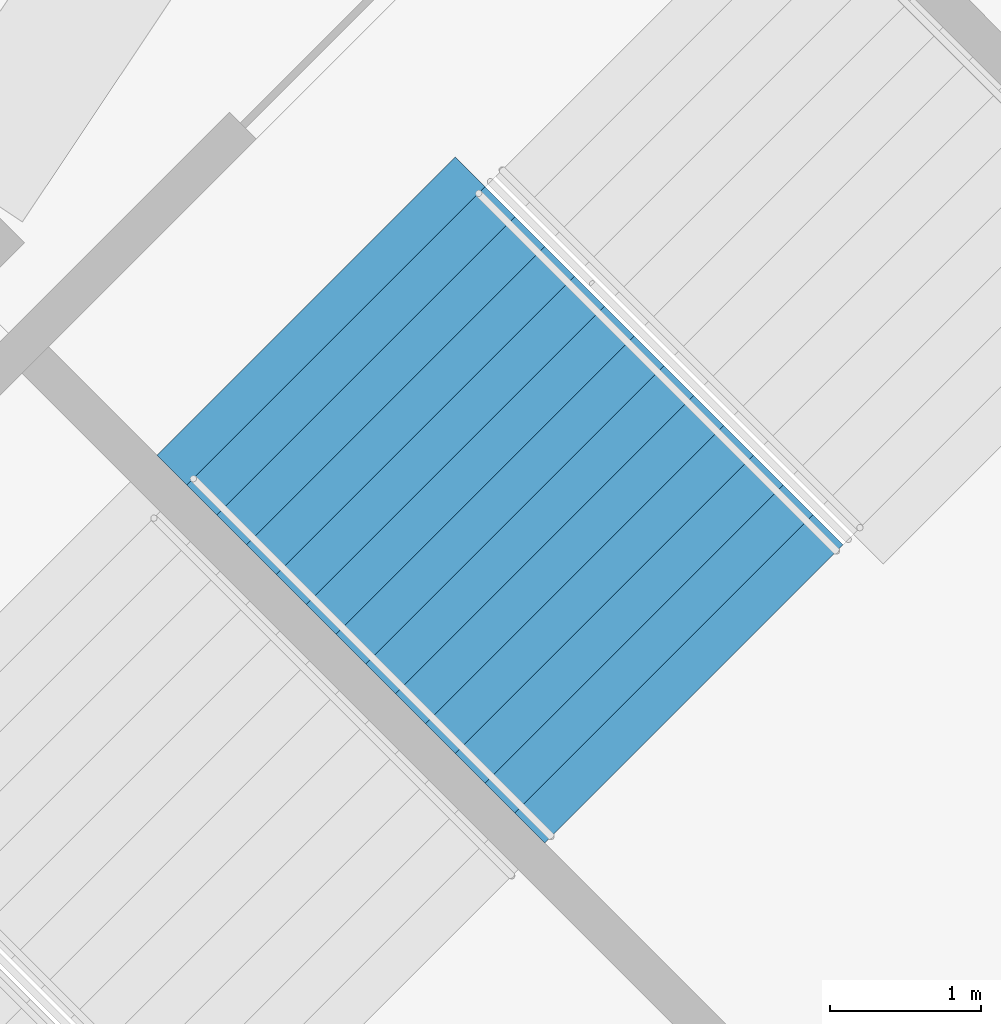
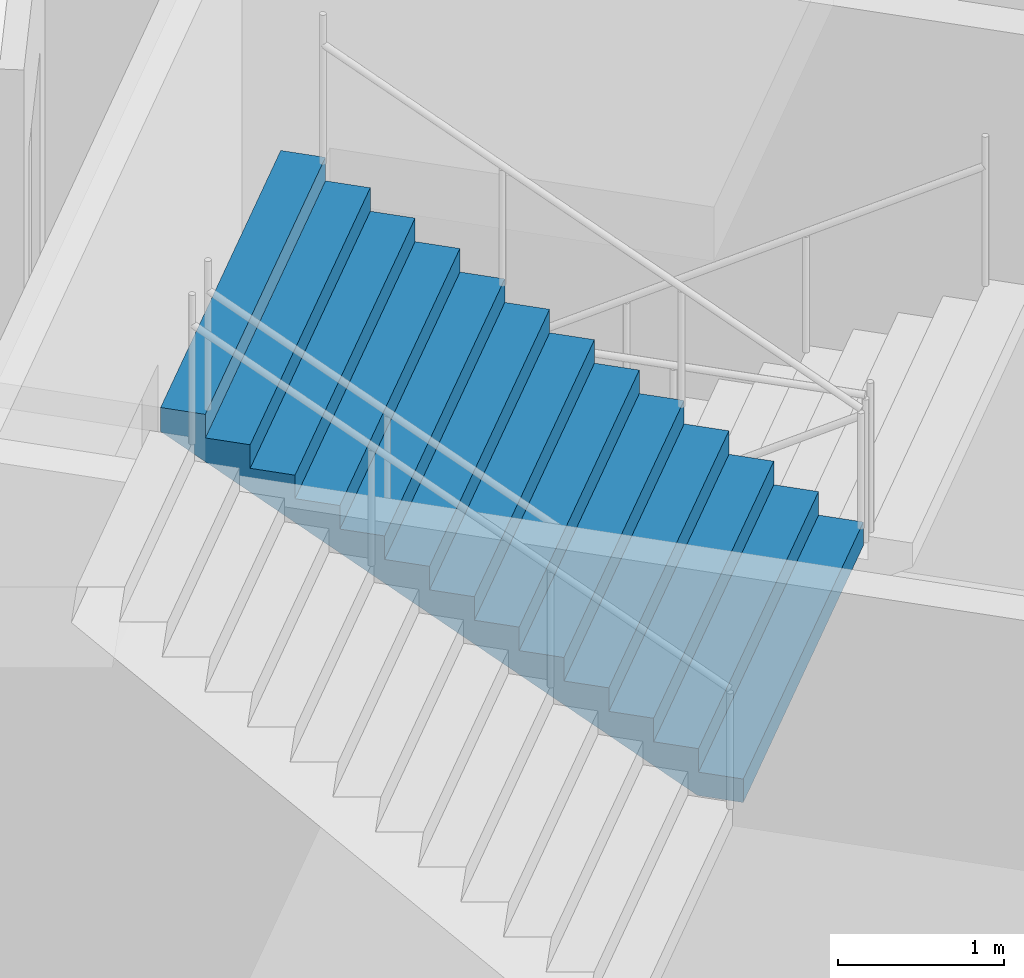
# One storey, part 139 of 199: 1 stair flight, 1 element without a shape of its own.
"""IFC4 building model written with IfcOpenShell, lengths in metres."""

from ifc_helpers import new_model, si_unit, direction, frame, origin, place, context, subcontext, project, spatial, faceted_brep, material, type_object, element, aggregate, save


model = new_model("IFC4")

# Units and contexts
model_context = context("Model", 3, precision=1e-05, world=origin(), true_north=direction((0.0, 1.0)))
body_context = subcontext(model_context, "Body", "Model", "MODEL_VIEW")
ifc_project = project(units=[si_unit("LENGTHUNIT", "METRE"), si_unit("AREAUNIT", "SQUARE_METRE"), si_unit("VOLUMEUNIT", "CUBIC_METRE"), si_unit("PLANEANGLEUNIT", "RADIAN"), si_unit("MASSUNIT", "GRAM", prefix="KILO")], contexts=[model_context])

# Site, building, storey
site_placement = place(None, origin())
site = spatial("IfcSite", under=ifc_project, at=site_placement, CompositionType="ELEMENT")
building_placement = place(site_placement, origin())
building = spatial("IfcBuilding", under=site, at=building_placement, Name="Ogive Plaza Stadium", CompositionType="ELEMENT")
storey_placement = place(building_placement, frame((0.0, 0.0, 4.5)))
storey = spatial("IfcBuildingStorey", under=building, at=storey_placement, Name="L01", CompositionType="ELEMENT", Elevation=4.5)

# Stair, stair flight
ifc_material_1 = material(Name="Concrete C40/50", Category="concrete")
stair_type = type_object("IfcStairType", Name="Exit stair", PredefinedType="STRAIGHT_RUN_STAIR", material=ifc_material_1)
stair_placement = place(storey_placement, origin())
stair = element("IfcStair", 1, at=stair_placement, inside=storey, type_object=stair_type, Name="Exit stair ST10B L01 to L02", PredefinedType="STRAIGHT_RUN_STAIR")
ifc_material_2 = material(Name="Concrete C40/50", Category="concrete")
stair_flight_type = type_object("IfcStairFlightType", Name="Exit stair flight", PredefinedType="STRAIGHT", material=ifc_material_2)
stair_flight_placement = place(storey_placement, frame((67.400146484375, -83.743408203125, 2.25), z_axis=(0.0, 0.0, 1.0), x_axis=(-0.707106781187, 0.707106781187, 0.0)))
stair_flight = element("IfcStairFlight", 2, at=stair_flight_placement, type_object=stair_flight_type, Name="ST10B flight 2", NumberOfRisers=13, NumberOfTreads=12, PredefinedType="STRAIGHT", RiserHeight=0.173076923, TreadLength=0.28, context=body_context, shape_type="Brep", body=[
    faceted_brep([(0.28515625, -1.39990234375, 0.0), (3.639892578125, -1.39990234375, 2.07373046875), (3.639892578125, -1.39990234375, 2.25), (3.360107421875, -1.39990234375, 2.25), (3.360107421875, -1.39990234375, 2.076904296875), (3.080078125, -1.39990234375, 2.076904296875), (3.080078125, -1.39990234375, 1.90380859375), (2.800048828125, -1.39990234375, 1.90380859375), (2.800048828125, -1.39990234375, 1.730712890625), (2.52001953125, -1.39990234375, 1.730712890625), (2.52001953125, -1.39990234375, 1.5576171875), (2.239990234375, -1.39990234375, 1.5576171875), (2.239990234375, -1.39990234375, 1.384521484375), (1.9599609375, -1.39990234375, 1.384521484375), (1.9599609375, -1.39990234375, 1.21142578125), (1.679931640625, -1.39990234375, 1.21142578125), (1.679931640625, -1.39990234375, 1.03857421875), (1.39990234375, -1.39990234375, 1.03857421875), (1.39990234375, -1.39990234375, 0.865478515625), (1.1201171875, -1.39990234375, 0.865478515625), (1.1201171875, -1.39990234375, 0.6923828125), (0.840087890625, -1.39990234375, 0.6923828125), (0.840087890625, -1.39990234375, 0.519287109375), (0.56005859375, -1.39990234375, 0.519287109375), (0.56005859375, -1.39990234375, 0.34619140625), (0.280029296875, -1.39990234375, 0.34619140625), (0.280029296875, -1.39990234375, 0.173095703125), (0.0, -1.39990234375, 0.173095703125), (0.0, -1.39990234375, 0.0), (0.0, 1.39990234375, 0.0), (0.0, 1.39990234375, 0.173095703125), (0.280029296875, 1.39990234375, 0.173095703125), (0.280029296875, 1.39990234375, 0.34619140625), (0.56005859375, 1.39990234375, 0.34619140625), (0.56005859375, 1.39990234375, 0.519287109375), (0.840087890625, 1.39990234375, 0.519287109375), (0.840087890625, 1.39990234375, 0.6923828125), (1.1201171875, 1.39990234375, 0.6923828125), (1.1201171875, 1.39990234375, 0.865478515625), (1.39990234375, 1.39990234375, 0.865478515625), (1.39990234375, 1.39990234375, 1.03857421875), (1.679931640625, 1.39990234375, 1.03857421875), (1.679931640625, 1.39990234375, 1.21142578125), (1.9599609375, 1.39990234375, 1.21142578125), (1.9599609375, 1.39990234375, 1.384521484375), (2.239990234375, 1.39990234375, 1.384521484375), (2.239990234375, 1.39990234375, 1.5576171875), (2.52001953125, 1.39990234375, 1.5576171875), (2.52001953125, 1.39990234375, 1.730712890625), (2.800048828125, 1.39990234375, 1.730712890625), (2.800048828125, 1.39990234375, 1.90380859375), (3.080078125, 1.39990234375, 1.90380859375), (3.080078125, 1.39990234375, 2.076904296875), (3.360107421875, 1.39990234375, 2.076904296875), (3.360107421875, 1.39990234375, 2.25), (3.639892578125, 1.39990234375, 2.25), (3.639892578125, 1.39990234375, 2.07373046875), (0.28515625, 1.39990234375, 0.0), (0.28515625, -1.0888671875, 0.0), (3.639892578125, -1.0888671875, 2.07373046875), (0.28515625, -0.77783203125, 0.0), (3.639892578125, -0.77783203125, 2.07373046875), (0.28515625, -0.466796875, 0.0), (3.639892578125, -0.466796875, 2.07373046875), (0.28515625, -0.155517578125, 0.0), (3.639892578125, -0.155517578125, 2.07373046875), (0.28515625, 0.155517578125, 0.0), (3.639892578125, 0.155517578125, 2.07373046875), (0.28515625, 0.466796875, 0.0), (3.639892578125, 0.466796875, 2.07373046875), (0.28515625, 0.77783203125, 0.0), (3.639892578125, 0.77783203125, 2.07373046875), (0.28515625, 1.0888671875, 0.0), (3.639892578125, 1.0888671875, 2.07373046875), (3.639892578125, -1.0888671875, 2.25), (3.639892578125, -0.77783203125, 2.25), (3.639892578125, -0.466796875, 2.25), (3.639892578125, -0.155517578125, 2.25), (3.639892578125, 0.155517578125, 2.25), (3.639892578125, 0.466796875, 2.25), (3.639892578125, 0.77783203125, 2.25), (3.639892578125, 1.0888671875, 2.25), (3.360107421875, -1.0888671875, 2.25), (3.360107421875, -0.77783203125, 2.25), (3.360107421875, -0.466796875, 2.25), (3.360107421875, -0.155517578125, 2.25), (3.360107421875, 0.155517578125, 2.25), (3.360107421875, 0.466796875, 2.25), (3.360107421875, 0.77783203125, 2.25), (3.360107421875, 1.0888671875, 2.25), (3.360107421875, -1.0888671875, 2.076904296875), (3.360107421875, -0.77783203125, 2.076904296875), (3.360107421875, -0.466796875, 2.076904296875), (3.360107421875, -0.155517578125, 2.076904296875), (3.360107421875, 0.155517578125, 2.076904296875), (3.360107421875, 0.466796875, 2.076904296875), (3.360107421875, 0.77783203125, 2.076904296875), (3.360107421875, 1.0888671875, 2.076904296875), (3.080078125, -1.0888671875, 2.076904296875), (3.080078125, -0.77783203125, 2.076904296875), (3.080078125, -0.466796875, 2.076904296875), (3.080078125, -0.155517578125, 2.076904296875), (3.080078125, 0.155517578125, 2.076904296875), (3.080078125, 0.466796875, 2.076904296875), (3.080078125, 0.77783203125, 2.076904296875), (3.080078125, 1.0888671875, 2.076904296875), (3.080078125, -1.0888671875, 1.90380859375), (3.080078125, -0.77783203125, 1.90380859375), (3.080078125, -0.466796875, 1.90380859375), (3.080078125, -0.155517578125, 1.90380859375), (3.080078125, 0.155517578125, 1.90380859375), (3.080078125, 0.466796875, 1.90380859375), (3.080078125, 0.77783203125, 1.90380859375), (3.080078125, 1.0888671875, 1.90380859375), (2.800048828125, -1.0888671875, 1.90380859375), (2.800048828125, -0.77783203125, 1.90380859375), (2.800048828125, -0.466796875, 1.90380859375), (2.800048828125, -0.155517578125, 1.90380859375), (2.800048828125, 0.155517578125, 1.90380859375), (2.800048828125, 0.466796875, 1.90380859375), (2.800048828125, 0.77783203125, 1.90380859375), (2.800048828125, 1.0888671875, 1.90380859375), (2.800048828125, -1.0888671875, 1.730712890625), (2.800048828125, -0.77783203125, 1.730712890625), (2.800048828125, -0.466796875, 1.730712890625), (2.800048828125, -0.155517578125, 1.730712890625), (2.800048828125, 0.155517578125, 1.730712890625), (2.800048828125, 0.466796875, 1.730712890625), (2.800048828125, 0.77783203125, 1.730712890625), (2.800048828125, 1.0888671875, 1.730712890625), (2.52001953125, -1.0888671875, 1.730712890625), (2.52001953125, -0.77783203125, 1.730712890625), (2.52001953125, -0.466796875, 1.730712890625), (2.52001953125, -0.155517578125, 1.730712890625), (2.52001953125, 0.155517578125, 1.730712890625), (2.52001953125, 0.466796875, 1.730712890625), (2.52001953125, 0.77783203125, 1.730712890625), (2.52001953125, 1.0888671875, 1.730712890625), (2.52001953125, -1.0888671875, 1.5576171875), (2.52001953125, -0.77783203125, 1.5576171875), (2.52001953125, -0.466796875, 1.5576171875), (2.52001953125, -0.155517578125, 1.5576171875), (2.52001953125, 0.155517578125, 1.5576171875), (2.52001953125, 0.466796875, 1.5576171875), (2.52001953125, 0.77783203125, 1.5576171875), (2.52001953125, 1.0888671875, 1.5576171875), (2.239990234375, -1.0888671875, 1.5576171875), (2.239990234375, -0.77783203125, 1.5576171875), (2.239990234375, -0.466796875, 1.5576171875), (2.239990234375, -0.155517578125, 1.5576171875), (2.239990234375, 0.155517578125, 1.5576171875), (2.239990234375, 0.466796875, 1.5576171875), (2.239990234375, 0.77783203125, 1.5576171875), (2.239990234375, 1.0888671875, 1.5576171875), (2.239990234375, -1.0888671875, 1.384521484375), (2.239990234375, -0.77783203125, 1.384521484375), (2.239990234375, -0.466796875, 1.384521484375), (2.239990234375, -0.155517578125, 1.384521484375), (2.239990234375, 0.155517578125, 1.384521484375), (2.239990234375, 0.466796875, 1.384521484375), (2.239990234375, 0.77783203125, 1.384521484375), (2.239990234375, 1.0888671875, 1.384521484375), (1.9599609375, -1.0888671875, 1.384521484375), (1.9599609375, -0.77783203125, 1.384521484375), (1.9599609375, -0.466796875, 1.384521484375), (1.9599609375, -0.155517578125, 1.384521484375), (1.9599609375, 0.155517578125, 1.384521484375), (1.9599609375, 0.466796875, 1.384521484375), (1.9599609375, 0.77783203125, 1.384521484375), (1.9599609375, 1.0888671875, 1.384521484375), (1.9599609375, -1.0888671875, 1.21142578125), (1.9599609375, -0.77783203125, 1.21142578125), (1.9599609375, -0.466796875, 1.21142578125), (1.9599609375, -0.155517578125, 1.21142578125), (1.9599609375, 0.155517578125, 1.21142578125), (1.9599609375, 0.466796875, 1.21142578125), (1.9599609375, 0.77783203125, 1.21142578125), (1.9599609375, 1.0888671875, 1.21142578125), (1.679931640625, -1.0888671875, 1.21142578125), (1.679931640625, -0.77783203125, 1.21142578125), (1.679931640625, -0.466796875, 1.21142578125), (1.679931640625, -0.155517578125, 1.21142578125), (1.679931640625, 0.155517578125, 1.21142578125), (1.679931640625, 0.466796875, 1.21142578125), (1.679931640625, 0.77783203125, 1.21142578125), (1.679931640625, 1.0888671875, 1.21142578125), (1.679931640625, -1.0888671875, 1.03857421875), (1.679931640625, -0.77783203125, 1.03857421875), (1.679931640625, -0.466796875, 1.03857421875), (1.679931640625, -0.155517578125, 1.03857421875), (1.679931640625, 0.155517578125, 1.03857421875), (1.679931640625, 0.466796875, 1.03857421875), (1.679931640625, 0.77783203125, 1.03857421875), (1.679931640625, 1.0888671875, 1.03857421875), (1.39990234375, -1.0888671875, 1.03857421875), (1.39990234375, -0.77783203125, 1.03857421875), (1.39990234375, -0.466796875, 1.03857421875), (1.39990234375, -0.155517578125, 1.03857421875), (1.39990234375, 0.155517578125, 1.03857421875), (1.39990234375, 0.466796875, 1.03857421875), (1.39990234375, 0.77783203125, 1.03857421875), (1.39990234375, 1.0888671875, 1.03857421875), (1.39990234375, -1.0888671875, 0.865478515625), (1.39990234375, -0.77783203125, 0.865478515625), (1.39990234375, -0.466796875, 0.865478515625), (1.39990234375, -0.155517578125, 0.865478515625), (1.39990234375, 0.155517578125, 0.865478515625), (1.39990234375, 0.466796875, 0.865478515625), (1.39990234375, 0.77783203125, 0.865478515625), (1.39990234375, 1.0888671875, 0.865478515625), (1.1201171875, -1.0888671875, 0.865478515625), (1.1201171875, -0.77783203125, 0.865478515625), (1.1201171875, -0.466796875, 0.865478515625), (1.1201171875, -0.155517578125, 0.865478515625), (1.1201171875, 0.155517578125, 0.865478515625), (1.1201171875, 0.466796875, 0.865478515625), (1.1201171875, 0.77783203125, 0.865478515625), (1.1201171875, 1.0888671875, 0.865478515625), (1.1201171875, -1.0888671875, 0.6923828125), (1.1201171875, -0.77783203125, 0.6923828125), (1.1201171875, -0.466796875, 0.6923828125), (1.1201171875, -0.155517578125, 0.6923828125), (1.1201171875, 0.155517578125, 0.6923828125), (1.1201171875, 0.466796875, 0.6923828125), (1.1201171875, 0.77783203125, 0.6923828125), (1.1201171875, 1.0888671875, 0.6923828125), (0.840087890625, -1.0888671875, 0.6923828125), (0.840087890625, -0.77783203125, 0.6923828125), (0.840087890625, -0.466796875, 0.6923828125), (0.840087890625, -0.155517578125, 0.6923828125), (0.840087890625, 0.155517578125, 0.6923828125), (0.840087890625, 0.466796875, 0.6923828125), (0.840087890625, 0.77783203125, 0.6923828125), (0.840087890625, 1.0888671875, 0.6923828125), (0.840087890625, -1.0888671875, 0.519287109375), (0.840087890625, -0.77783203125, 0.519287109375), (0.840087890625, -0.466796875, 0.519287109375), (0.840087890625, -0.155517578125, 0.519287109375), (0.840087890625, 0.155517578125, 0.519287109375), (0.840087890625, 0.466796875, 0.519287109375), (0.840087890625, 0.77783203125, 0.519287109375), (0.840087890625, 1.0888671875, 0.519287109375), (0.56005859375, -1.0888671875, 0.519287109375), (0.56005859375, -0.77783203125, 0.519287109375), (0.56005859375, -0.466796875, 0.519287109375), (0.56005859375, -0.155517578125, 0.519287109375), (0.56005859375, 0.155517578125, 0.519287109375), (0.56005859375, 0.466796875, 0.519287109375), (0.56005859375, 0.77783203125, 0.519287109375), (0.56005859375, 1.0888671875, 0.519287109375), (0.56005859375, -1.0888671875, 0.34619140625), (0.56005859375, -0.77783203125, 0.34619140625), (0.56005859375, -0.466796875, 0.34619140625), (0.56005859375, -0.155517578125, 0.34619140625), (0.56005859375, 0.155517578125, 0.34619140625), (0.56005859375, 0.466796875, 0.34619140625), (0.56005859375, 0.77783203125, 0.34619140625), (0.56005859375, 1.0888671875, 0.34619140625), (0.280029296875, -1.0888671875, 0.34619140625), (0.280029296875, -0.77783203125, 0.34619140625), (0.280029296875, -0.466796875, 0.34619140625), (0.280029296875, -0.155517578125, 0.34619140625), (0.280029296875, 0.155517578125, 0.34619140625), (0.280029296875, 0.466796875, 0.34619140625), (0.280029296875, 0.77783203125, 0.34619140625), (0.280029296875, 1.0888671875, 0.34619140625), (0.280029296875, -1.0888671875, 0.173095703125), (0.280029296875, -0.77783203125, 0.173095703125), (0.280029296875, -0.466796875, 0.173095703125), (0.280029296875, -0.155517578125, 0.173095703125), (0.280029296875, 0.155517578125, 0.173095703125), (0.280029296875, 0.466796875, 0.173095703125), (0.280029296875, 0.77783203125, 0.173095703125), (0.280029296875, 1.0888671875, 0.173095703125), (0.0, -1.0888671875, 0.173095703125), (0.0, -0.77783203125, 0.173095703125), (0.0, -0.466796875, 0.173095703125), (0.0, -0.155517578125, 0.173095703125), (0.0, 0.155517578125, 0.173095703125), (0.0, 0.466796875, 0.173095703125), (0.0, 0.77783203125, 0.173095703125), (0.0, 1.0888671875, 0.173095703125), (0.0, -1.0888671875, 0.0), (0.0, -0.77783203125, 0.0), (0.0, -0.466796875, 0.0), (0.0, -0.155517578125, 0.0), (0.0, 0.155517578125, 0.0), (0.0, 0.466796875, 0.0), (0.0, 0.77783203125, 0.0), (0.0, 1.0888671875, 0.0)], [[[0, 1, 2, 3, 4, 5, 6, 7, 8, 9, 10, 11, 12, 13, 14, 15, 16, 17, 18, 19, 20, 21, 22, 23, 24, 25, 26, 27, 28]], [[29, 30, 31, 32, 33, 34, 35, 36, 37, 38, 39, 40, 41, 42, 43, 44, 45, 46, 47, 48, 49, 50, 51, 52, 53, 54, 55, 56, 57]], [[0, 58, 59, 1]], [[58, 60, 61, 59]], [[60, 62, 63, 61]], [[62, 64, 65, 63]], [[64, 66, 67, 65]], [[66, 68, 69, 67]], [[68, 70, 71, 69]], [[70, 72, 73, 71]], [[72, 57, 56, 73]], [[1, 59, 74, 2]], [[59, 61, 75, 74]], [[61, 63, 76, 75]], [[63, 65, 77, 76]], [[65, 67, 78, 77]], [[67, 69, 79, 78]], [[69, 71, 80, 79]], [[71, 73, 81, 80]], [[73, 56, 55, 81]], [[2, 74, 82, 3]], [[74, 75, 83, 82]], [[75, 76, 84, 83]], [[76, 77, 85, 84]], [[77, 78, 86, 85]], [[78, 79, 87, 86]], [[79, 80, 88, 87]], [[80, 81, 89, 88]], [[81, 55, 54, 89]], [[3, 82, 90, 4]], [[82, 83, 91, 90]], [[83, 84, 92, 91]], [[84, 85, 93, 92]], [[85, 86, 94, 93]], [[86, 87, 95, 94]], [[87, 88, 96, 95]], [[88, 89, 97, 96]], [[89, 54, 53, 97]], [[4, 90, 98, 5]], [[90, 91, 99, 98]], [[91, 92, 100, 99]], [[92, 93, 101, 100]], [[93, 94, 102, 101]], [[94, 95, 103, 102]], [[95, 96, 104, 103]], [[96, 97, 105, 104]], [[97, 53, 52, 105]], [[5, 98, 106, 6]], [[98, 99, 107, 106]], [[99, 100, 108, 107]], [[100, 101, 109, 108]], [[101, 102, 110, 109]], [[102, 103, 111, 110]], [[103, 104, 112, 111]], [[104, 105, 113, 112]], [[105, 52, 51, 113]], [[6, 106, 114, 7]], [[106, 107, 115, 114]], [[107, 108, 116, 115]], [[108, 109, 117, 116]], [[109, 110, 118, 117]], [[110, 111, 119, 118]], [[111, 112, 120, 119]], [[112, 113, 121, 120]], [[113, 51, 50, 121]], [[7, 114, 122, 8]], [[114, 115, 123, 122]], [[115, 116, 124, 123]], [[116, 117, 125, 124]], [[117, 118, 126, 125]], [[118, 119, 127, 126]], [[119, 120, 128, 127]], [[120, 121, 129, 128]], [[121, 50, 49, 129]], [[8, 122, 130, 9]], [[122, 123, 131, 130]], [[123, 124, 132, 131]], [[124, 125, 133, 132]], [[125, 126, 134, 133]], [[126, 127, 135, 134]], [[127, 128, 136, 135]], [[128, 129, 137, 136]], [[129, 49, 48, 137]], [[9, 130, 138, 10]], [[130, 131, 139, 138]], [[131, 132, 140, 139]], [[132, 133, 141, 140]], [[133, 134, 142, 141]], [[134, 135, 143, 142]], [[135, 136, 144, 143]], [[136, 137, 145, 144]], [[137, 48, 47, 145]], [[10, 138, 146, 11]], [[138, 139, 147, 146]], [[139, 140, 148, 147]], [[140, 141, 149, 148]], [[141, 142, 150, 149]], [[142, 143, 151, 150]], [[143, 144, 152, 151]], [[144, 145, 153, 152]], [[145, 47, 46, 153]], [[11, 146, 154, 12]], [[146, 147, 155, 154]], [[147, 148, 156, 155]], [[148, 149, 157, 156]], [[149, 150, 158, 157]], [[150, 151, 159, 158]], [[151, 152, 160, 159]], [[152, 153, 161, 160]], [[153, 46, 45, 161]], [[12, 154, 162, 13]], [[154, 155, 163, 162]], [[155, 156, 164, 163]], [[156, 157, 165, 164]], [[157, 158, 166, 165]], [[158, 159, 167, 166]], [[159, 160, 168, 167]], [[160, 161, 169, 168]], [[161, 45, 44, 169]], [[13, 162, 170, 14]], [[162, 163, 171, 170]], [[163, 164, 172, 171]], [[164, 165, 173, 172]], [[165, 166, 174, 173]], [[166, 167, 175, 174]], [[167, 168, 176, 175]], [[168, 169, 177, 176]], [[169, 44, 43, 177]], [[14, 170, 178, 15]], [[170, 171, 179, 178]], [[171, 172, 180, 179]], [[172, 173, 181, 180]], [[173, 174, 182, 181]], [[174, 175, 183, 182]], [[175, 176, 184, 183]], [[176, 177, 185, 184]], [[177, 43, 42, 185]], [[15, 178, 186, 16]], [[178, 179, 187, 186]], [[179, 180, 188, 187]], [[180, 181, 189, 188]], [[181, 182, 190, 189]], [[182, 183, 191, 190]], [[183, 184, 192, 191]], [[184, 185, 193, 192]], [[185, 42, 41, 193]], [[16, 186, 194, 17]], [[186, 187, 195, 194]], [[187, 188, 196, 195]], [[188, 189, 197, 196]], [[189, 190, 198, 197]], [[190, 191, 199, 198]], [[191, 192, 200, 199]], [[192, 193, 201, 200]], [[193, 41, 40, 201]], [[17, 194, 202, 18]], [[194, 195, 203, 202]], [[195, 196, 204, 203]], [[196, 197, 205, 204]], [[197, 198, 206, 205]], [[198, 199, 207, 206]], [[199, 200, 208, 207]], [[200, 201, 209, 208]], [[201, 40, 39, 209]], [[18, 202, 210, 19]], [[202, 203, 211, 210]], [[203, 204, 212, 211]], [[204, 205, 213, 212]], [[205, 206, 214, 213]], [[206, 207, 215, 214]], [[207, 208, 216, 215]], [[208, 209, 217, 216]], [[209, 39, 38, 217]], [[19, 210, 218, 20]], [[210, 211, 219, 218]], [[211, 212, 220, 219]], [[212, 213, 221, 220]], [[213, 214, 222, 221]], [[214, 215, 223, 222]], [[215, 216, 224, 223]], [[216, 217, 225, 224]], [[217, 38, 37, 225]], [[20, 218, 226, 21]], [[218, 219, 227, 226]], [[219, 220, 228, 227]], [[220, 221, 229, 228]], [[221, 222, 230, 229]], [[222, 223, 231, 230]], [[223, 224, 232, 231]], [[224, 225, 233, 232]], [[225, 37, 36, 233]], [[21, 226, 234, 22]], [[226, 227, 235, 234]], [[227, 228, 236, 235]], [[228, 229, 237, 236]], [[229, 230, 238, 237]], [[230, 231, 239, 238]], [[231, 232, 240, 239]], [[232, 233, 241, 240]], [[233, 36, 35, 241]], [[22, 234, 242, 23]], [[234, 235, 243, 242]], [[235, 236, 244, 243]], [[236, 237, 245, 244]], [[237, 238, 246, 245]], [[238, 239, 247, 246]], [[239, 240, 248, 247]], [[240, 241, 249, 248]], [[241, 35, 34, 249]], [[23, 242, 250, 24]], [[242, 243, 251, 250]], [[243, 244, 252, 251]], [[244, 245, 253, 252]], [[245, 246, 254, 253]], [[246, 247, 255, 254]], [[247, 248, 256, 255]], [[248, 249, 257, 256]], [[249, 34, 33, 257]], [[24, 250, 258, 25]], [[250, 251, 259, 258]], [[251, 252, 260, 259]], [[252, 253, 261, 260]], [[253, 254, 262, 261]], [[254, 255, 263, 262]], [[255, 256, 264, 263]], [[256, 257, 265, 264]], [[257, 33, 32, 265]], [[25, 258, 266, 26]], [[258, 259, 267, 266]], [[259, 260, 268, 267]], [[260, 261, 269, 268]], [[261, 262, 270, 269]], [[262, 263, 271, 270]], [[263, 264, 272, 271]], [[264, 265, 273, 272]], [[265, 32, 31, 273]], [[26, 266, 274, 27]], [[266, 267, 275, 274]], [[267, 268, 276, 275]], [[268, 269, 277, 276]], [[269, 270, 278, 277]], [[270, 271, 279, 278]], [[271, 272, 280, 279]], [[272, 273, 281, 280]], [[273, 31, 30, 281]], [[27, 274, 282, 28]], [[274, 275, 283, 282]], [[275, 276, 284, 283]], [[276, 277, 285, 284]], [[277, 278, 286, 285]], [[278, 279, 287, 286]], [[279, 280, 288, 287]], [[280, 281, 289, 288]], [[281, 30, 29, 289]], [[28, 282, 58, 0]], [[282, 283, 60, 58]], [[283, 284, 62, 60]], [[284, 285, 64, 62]], [[285, 286, 66, 64]], [[286, 287, 68, 66]], [[287, 288, 70, 68]], [[288, 289, 72, 70]], [[289, 29, 57, 72]]]),
])
aggregate(stair, [stair_flight])

save(model, "model.ifc")
